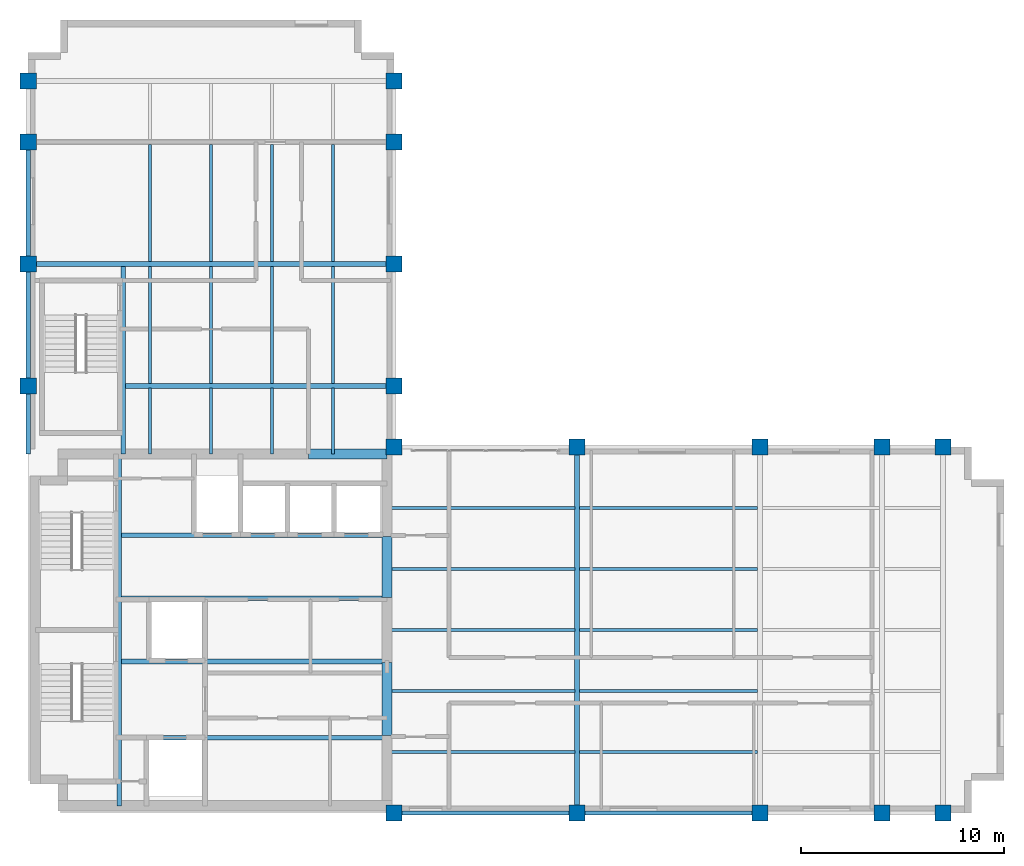
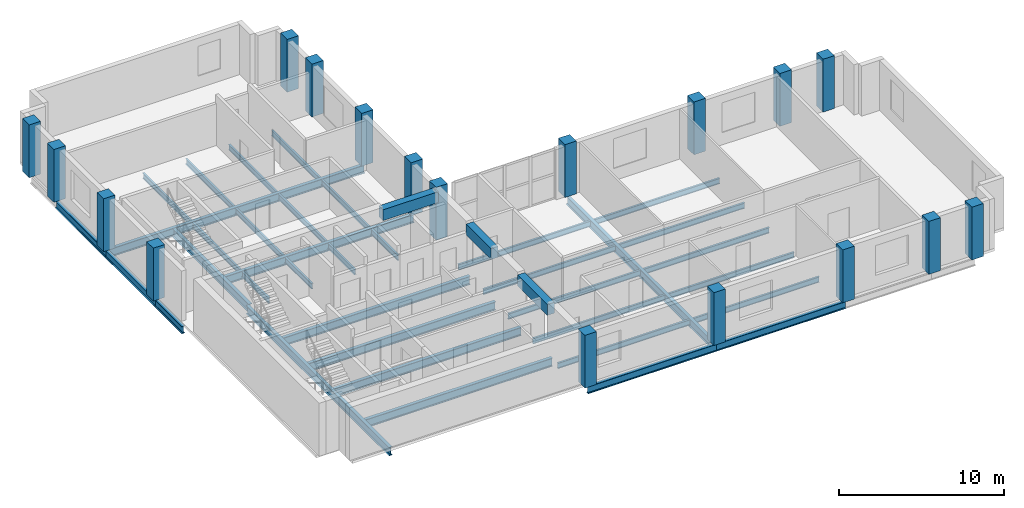
# One storey, part 1 of 7: 39 beams, 18 columns.
"""IFC4 building model written with IfcOpenShell, lengths in metres."""

from ifc_helpers import new_model, si_unit, direction, frame, origin, origin_2d, place, context, subcontext, project, spatial, rectangle, i_section, extrude, material, material_profile, profile_set, type_object, element, save


model = new_model("IFC4")

# Units and contexts
model_context = context("Model", 3, precision=1e-05, world=origin(), true_north=direction((0.0, 1.0)))
body_context = subcontext(model_context, "Body", "Model", "MODEL_VIEW")
ifc_project = project(units=[si_unit("LENGTHUNIT", "METRE"), si_unit("AREAUNIT", "SQUARE_METRE"), si_unit("VOLUMEUNIT", "CUBIC_METRE"), si_unit("PLANEANGLEUNIT", "RADIAN"), si_unit("MASSUNIT", "GRAM", prefix="KILO")], contexts=[model_context])

# Site, building, storey
site_placement = place(None, origin())
site = spatial("IfcSite", under=ifc_project, at=site_placement, CompositionType="ELEMENT")
building_placement = place(site_placement, origin())
building = spatial("IfcBuilding", under=site, at=building_placement, Name="Mawjdan Bourse Tower", CompositionType="ELEMENT")
storey_placement = place(building_placement, frame((0.0, 0.0, 235.199951171875)))
storey = spatial("IfcBuildingStorey", under=building, at=storey_placement, Name="L57", CompositionType="ELEMENT", Elevation=235.199951171875)

# Columns
ifc_material_1 = material(Name="Concrete C60/75", Category="concrete")
ifc_material_profile_1 = material_profile(ifc_material_1, rectangle(XDim=0.800048828125, YDim=0.800048828125, at=origin_2d()), Name="RC800X800")
ifc_profile_set_1 = profile_set([ifc_material_profile_1], Name="Concrete C60/75")
column_type = type_object("IfcColumnType", Name="COL-RC800X800", PredefinedType="COLUMN", material=ifc_profile_set_1)
for number, where, z_axis, x_axis, name in (
    (1, (24.0, 3.0, 0.0), (0.0, 0.0, 1.0), (1.0, 0.0, 0.0), "L57 Structural Column C-X240-Y30"),
    (2, (24.0, 21.0, 0.0), (0.0, 0.0, 1.0), (1.0, 0.0, 0.0), "L57 Structural Column C-X240-Y210"),
    (3, (33.0, 3.0, 0.0), (0.0, 0.0, 1.0), (1.0, 0.0, 0.0), "L57 Structural Column C-X330-Y30"),
    (4, (33.0, 21.0, 0.0), (0.0, 0.0, 1.0), (1.0, 0.0, 0.0), "L57 Structural Column C-X330-Y210"),
    (5, (42.0, 3.0, 0.0), (0.0, 0.0, 1.0), (1.0, 0.0, 0.0), "L57 Structural Column C-X420-Y30"),
    (6, (42.0, 21.0, 0.0), (0.0, 0.0, 1.0), (1.0, 0.0, 0.0), "L57 Structural Column C-X420-Y210"),
    (7, (48.0, 3.0, 0.0), (0.0, 0.0, 1.0), (1.0, 0.0, 0.0), "L57 Structural Column C-X480-Y30"),
    (8, (48.0, 21.0, 0.0), (0.0, 0.0, 1.0), (1.0, 0.0, 0.0), "L57 Structural Column C-X480-Y210"),
    (9, (51.0, 3.0, 0.0), (0.0, 0.0, 1.0), (1.0, 0.0, 0.0), "L57 Structural Column C-X510-Y30"),
    (10, (51.0, 21.0, 0.0), (0.0, 0.0, 1.0), (1.0, 0.0, 0.0), "L57 Structural Column C-X510-Y210"),
    (11, (6.0, 24.0, 0.0), (0.0, 0.0, 1.0), (1.0, 0.0, 0.0), "L57 Structural Column C-X60-Y240"),
    (12, (24.0, 24.0, 0.0), (0.0, 0.0, 1.0), (1.0, 0.0, 0.0), "L57 Structural Column C-X240-Y240"),
    (13, (6.0, 30.0, 0.0), (0.0, 0.0, 1.0), (1.0, 0.0, 0.0), "L57 Structural Column C-X60-Y300"),
    (14, (24.0, 30.0, 0.0), (0.0, 0.0, 1.0), (1.0, 0.0, 0.0), "L57 Structural Column C-X240-Y300"),
    (15, (6.0, 36.0, 0.0), (0.0, 0.0, 1.0), (1.0, 0.0, 0.0), "L57 Structural Column C-X60-Y360"),
    (16, (24.0, 36.0, 0.0), (0.0, 0.0, 1.0), (1.0, 0.0, 0.0), "L57 Structural Column C-X240-Y360"),
    (17, (6.0, 39.0, 0.0), (0.0, 0.0, 1.0), (1.0, 0.0, 0.0), "L57 Structural Column C-X60-Y390"),
    (18, (24.0, 39.0, 0.0), (0.0, 0.0, 1.0), (1.0, 0.0, 0.0), "L57 Structural Column C-X240-Y390"),
):
    element("IfcColumn", number, at=place(storey_placement, frame(where, z_axis=z_axis, x_axis=x_axis)), inside=storey, type_object=column_type, Name=name, PredefinedType="COLUMN", context=body_context, shape_type="SweptSolid", body=[
        extrude(rectangle(XDim=0.800048828125, YDim=0.800048828125, at=origin_2d()), origin(), (0.0, 0.0, 1.0), 3.900146484375),
    ])

# Beams
ifc_material_2 = material(Name="Structural Steel S355", Category="steel")
ifc_material_profile_2 = material_profile(ifc_material_2, i_section(OverallWidth=0.22998046875, OverallDepth=0.616943359375, WebThickness=0.01318359375, FlangeThickness=0.022216796875, FilletRadius=0.017822265625, at=origin_2d()), Name="W24X94")
ifc_profile_set_2 = profile_set([ifc_material_profile_2], Name="Structural Steel S355")
beam_type_1 = type_object("IfcBeamType", Name="GRD-W24X94", PredefinedType="BEAM", material=ifc_profile_set_2)
beam_1_placement = place(storey_placement, frame((10.47998046875, 3.35009765625, -0.508544921875), z_axis=(0.0, 1.0, 0.0), x_axis=(-1.0, 0.0, 0.0)))
element("IfcBeam", 19, at=beam_1_placement, inside=storey, type_object=beam_type_1, Name="L57 Core Stair Trimmer Girder 001", PredefinedType="BEAM", context=body_context, shape_type="SweptSolid", body=[
    extrude(i_section(OverallWidth=0.22998046875, OverallDepth=0.616943359375, WebThickness=0.01318359375, FlangeThickness=0.022216796875, FilletRadius=0.017822265625, at=origin_2d()), origin(), (0.0, 0.0, 1.0), 17.2998046875),
])
beam_2_placement = place(storey_placement, frame((33.0, 3.0, -0.508544921875), z_axis=(0.0, 1.0, 0.0), x_axis=(-1.0, 0.0, 0.0)))
element("IfcBeam", 20, at=beam_2_placement, inside=storey, type_object=beam_type_1, Name="L57 East Wing Clear-Span Girder 002", PredefinedType="BEAM", context=body_context, shape_type="SweptSolid", body=[
    extrude(i_section(OverallWidth=0.22998046875, OverallDepth=0.616943359375, WebThickness=0.01318359375, FlangeThickness=0.022216796875, FilletRadius=0.017822265625, at=origin_2d()), origin(), (0.0, 0.0, 1.0), 18.0),
])
beam_3_placement = place(storey_placement, frame((10.679931640625, 20.64990234375, -0.508544921875), z_axis=(0.0, 1.0, 0.0), x_axis=(-1.0, 0.0, 0.0)))
element("IfcBeam", 21, at=beam_3_placement, inside=storey, type_object=beam_type_1, Name="L57 North Wing Stair Trimmer Girder 038", PredefinedType="BEAM", context=body_context, shape_type="SweptSolid", body=[
    extrude(i_section(OverallWidth=0.22998046875, OverallDepth=0.616943359375, WebThickness=0.01318359375, FlangeThickness=0.022216796875, FilletRadius=0.017822265625, at=origin_2d()), origin(), (0.0, 0.0, 1.0), 9.237060546875),
])
beam_4_placement = place(storey_placement, frame((10.79296875, 24.0, -0.508544921875), z_axis=(1.0, 0.0, 0.0), x_axis=(0.0, 1.0, 0.0)))
element("IfcBeam", 22, at=beam_4_placement, inside=storey, type_object=beam_type_1, Name="L57 North Wing Clear-Span Girder 039", PredefinedType="BEAM", context=body_context, shape_type="SweptSolid", body=[
    extrude(i_section(OverallWidth=0.22998046875, OverallDepth=0.616943359375, WebThickness=0.01318359375, FlangeThickness=0.022216796875, FilletRadius=0.017822265625, at=origin_2d()), origin(), (0.0, 0.0, 1.0), 13.20703125),
])
beam_5_placement = place(storey_placement, frame((6.0, 30.0, -0.508544921875), z_axis=(1.0, 0.0, 0.0), x_axis=(0.0, 1.0, 0.0)))
element("IfcBeam", 23, at=beam_5_placement, inside=storey, type_object=beam_type_1, Name="L57 North Wing Clear-Span Girder 040", PredefinedType="BEAM", context=body_context, shape_type="SweptSolid", body=[
    extrude(i_section(OverallWidth=0.22998046875, OverallDepth=0.616943359375, WebThickness=0.01318359375, FlangeThickness=0.022216796875, FilletRadius=0.017822265625, at=origin_2d()), origin(), (0.0, 0.0, 1.0), 18.0),
])
ifc_material_profile_3 = material_profile(ifc_material_2, i_section(OverallWidth=0.139892578125, OverallDepth=0.404052734375, WebThickness=0.007080078125, FlangeThickness=0.01123046875, FilletRadius=0.009033203125, at=origin_2d()), Name="W16X31")
ifc_profile_set_3 = profile_set([ifc_material_profile_3], Name="Structural Steel S355")
beam_type_2 = type_object("IfcBeamType", Name="JST-W16X31", PredefinedType="JOIST", material=ifc_profile_set_3)
beam_6_placement = place(storey_placement, frame((23.64990234375, 6.0, -0.40185546875), z_axis=(1.0, 0.0, 0.0), x_axis=(0.0, 1.0, 0.0)))
element("IfcBeam", 24, at=beam_6_placement, inside=storey, type_object=beam_type_2, Name="L57 East Wing Composite Joist 014", PredefinedType="JOIST", context=body_context, shape_type="SweptSolid", body=[
    extrude(i_section(OverallWidth=0.139892578125, OverallDepth=0.404052734375, WebThickness=0.007080078125, FlangeThickness=0.01123046875, FilletRadius=0.009033203125, at=origin_2d()), origin(), (0.0, 0.0, 1.0), 9.237060546875),
])
beam_7_placement = place(storey_placement, frame((33.113037109375, 6.0, -0.40185546875), z_axis=(1.0, 0.0, 0.0), x_axis=(0.0, 1.0, 0.0)))
element("IfcBeam", 25, at=beam_7_placement, inside=storey, type_object=beam_type_2, Name="L57 East Wing Composite Joist 015", PredefinedType="JOIST", context=body_context, shape_type="SweptSolid", body=[
    extrude(i_section(OverallWidth=0.139892578125, OverallDepth=0.404052734375, WebThickness=0.007080078125, FlangeThickness=0.01123046875, FilletRadius=0.009033203125, at=origin_2d()), origin(), (0.0, 0.0, 1.0), 8.77392578125),
])
beam_8_placement = place(storey_placement, frame((23.64990234375, 9.0, -0.40185546875), z_axis=(1.0, 0.0, 0.0), x_axis=(0.0, 1.0, 0.0)))
element("IfcBeam", 26, at=beam_8_placement, inside=storey, type_object=beam_type_2, Name="L57 East Wing Composite Joist 018", PredefinedType="JOIST", context=body_context, shape_type="SweptSolid", body=[
    extrude(i_section(OverallWidth=0.139892578125, OverallDepth=0.404052734375, WebThickness=0.007080078125, FlangeThickness=0.01123046875, FilletRadius=0.009033203125, at=origin_2d()), origin(), (0.0, 0.0, 1.0), 9.237060546875),
])
beam_9_placement = place(storey_placement, frame((33.113037109375, 9.0, -0.40185546875), z_axis=(1.0, 0.0, 0.0), x_axis=(0.0, 1.0, 0.0)))
element("IfcBeam", 27, at=beam_9_placement, inside=storey, type_object=beam_type_2, Name="L57 East Wing Composite Joist 019", PredefinedType="JOIST", context=body_context, shape_type="SweptSolid", body=[
    extrude(i_section(OverallWidth=0.139892578125, OverallDepth=0.404052734375, WebThickness=0.007080078125, FlangeThickness=0.01123046875, FilletRadius=0.009033203125, at=origin_2d()), origin(), (0.0, 0.0, 1.0), 8.77392578125),
])
beam_10_placement = place(storey_placement, frame((23.64990234375, 12.0, -0.40185546875), z_axis=(1.0, 0.0, 0.0), x_axis=(0.0, 1.0, 0.0)))
element("IfcBeam", 28, at=beam_10_placement, inside=storey, type_object=beam_type_2, Name="L57 East Wing Composite Joist 022", PredefinedType="JOIST", context=body_context, shape_type="SweptSolid", body=[
    extrude(i_section(OverallWidth=0.139892578125, OverallDepth=0.404052734375, WebThickness=0.007080078125, FlangeThickness=0.01123046875, FilletRadius=0.009033203125, at=origin_2d()), origin(), (0.0, 0.0, 1.0), 9.237060546875),
])
beam_11_placement = place(storey_placement, frame((33.113037109375, 12.0, -0.40185546875), z_axis=(1.0, 0.0, 0.0), x_axis=(0.0, 1.0, 0.0)))
element("IfcBeam", 29, at=beam_11_placement, inside=storey, type_object=beam_type_2, Name="L57 East Wing Composite Joist 023", PredefinedType="JOIST", context=body_context, shape_type="SweptSolid", body=[
    extrude(i_section(OverallWidth=0.139892578125, OverallDepth=0.404052734375, WebThickness=0.007080078125, FlangeThickness=0.01123046875, FilletRadius=0.009033203125, at=origin_2d()), origin(), (0.0, 0.0, 1.0), 8.77392578125),
])
beam_12_placement = place(storey_placement, frame((23.64990234375, 15.0, -0.40185546875), z_axis=(1.0, 0.0, 0.0), x_axis=(0.0, 1.0, 0.0)))
element("IfcBeam", 30, at=beam_12_placement, inside=storey, type_object=beam_type_2, Name="L57 East Wing Composite Joist 026", PredefinedType="JOIST", context=body_context, shape_type="SweptSolid", body=[
    extrude(i_section(OverallWidth=0.139892578125, OverallDepth=0.404052734375, WebThickness=0.007080078125, FlangeThickness=0.01123046875, FilletRadius=0.009033203125, at=origin_2d()), origin(), (0.0, 0.0, 1.0), 9.237060546875),
])
beam_13_placement = place(storey_placement, frame((33.113037109375, 15.0, -0.40185546875), z_axis=(1.0, 0.0, 0.0), x_axis=(0.0, 1.0, 0.0)))
element("IfcBeam", 31, at=beam_13_placement, inside=storey, type_object=beam_type_2, Name="L57 East Wing Composite Joist 027", PredefinedType="JOIST", context=body_context, shape_type="SweptSolid", body=[
    extrude(i_section(OverallWidth=0.139892578125, OverallDepth=0.404052734375, WebThickness=0.007080078125, FlangeThickness=0.01123046875, FilletRadius=0.009033203125, at=origin_2d()), origin(), (0.0, 0.0, 1.0), 8.77392578125),
])
beam_14_placement = place(storey_placement, frame((23.64990234375, 18.0, -0.40185546875), z_axis=(1.0, 0.0, 0.0), x_axis=(0.0, 1.0, 0.0)))
element("IfcBeam", 32, at=beam_14_placement, inside=storey, type_object=beam_type_2, Name="L57 East Wing Composite Joist 030", PredefinedType="JOIST", context=body_context, shape_type="SweptSolid", body=[
    extrude(i_section(OverallWidth=0.139892578125, OverallDepth=0.404052734375, WebThickness=0.007080078125, FlangeThickness=0.01123046875, FilletRadius=0.009033203125, at=origin_2d()), origin(), (0.0, 0.0, 1.0), 9.237060546875),
])
beam_15_placement = place(storey_placement, frame((33.113037109375, 18.0, -0.40185546875), z_axis=(1.0, 0.0, 0.0), x_axis=(0.0, 1.0, 0.0)))
element("IfcBeam", 33, at=beam_15_placement, inside=storey, type_object=beam_type_2, Name="L57 East Wing Composite Joist 031", PredefinedType="JOIST", context=body_context, shape_type="SweptSolid", body=[
    extrude(i_section(OverallWidth=0.139892578125, OverallDepth=0.404052734375, WebThickness=0.007080078125, FlangeThickness=0.01123046875, FilletRadius=0.009033203125, at=origin_2d()), origin(), (0.0, 0.0, 1.0), 8.77392578125),
])
beam_16_placement = place(storey_placement, frame((12.0, 20.64990234375, -0.40185546875), z_axis=(0.0, 1.0, 0.0), x_axis=(-1.0, 0.0, 0.0)))
element("IfcBeam", 34, at=beam_16_placement, inside=storey, type_object=beam_type_2, Name="L57 North Wing Composite Joist 051", PredefinedType="JOIST", context=body_context, shape_type="SweptSolid", body=[
    extrude(i_section(OverallWidth=0.139892578125, OverallDepth=0.404052734375, WebThickness=0.007080078125, FlangeThickness=0.01123046875, FilletRadius=0.009033203125, at=origin_2d()), origin(), (0.0, 0.0, 1.0), 3.237060546875),
])
for number, where, z_axis, x_axis, name in (
    (35, (12.0, 24.113037109375, -0.40185546875), (0.0, 1.0, 0.0), (-1.0, 0.0, 0.0), "L57 North Wing Composite Joist 052"),
    (36, (12.0, 30.113037109375, -0.40185546875), (0.0, 1.0, 0.0), (-1.0, 0.0, 0.0), "L57 North Wing Composite Joist 053"),
):
    element("IfcBeam", number, at=place(storey_placement, frame(where, z_axis=z_axis, x_axis=x_axis)), inside=storey, type_object=beam_type_2, Name=name, PredefinedType="JOIST", context=body_context, shape_type="SweptSolid", body=[
        extrude(i_section(OverallWidth=0.139892578125, OverallDepth=0.404052734375, WebThickness=0.007080078125, FlangeThickness=0.01123046875, FilletRadius=0.009033203125, at=origin_2d()), origin(), (0.0, 0.0, 1.0), 5.77392578125),
    ])
beam_17_placement = place(storey_placement, frame((15.0, 20.64990234375, -0.40185546875), z_axis=(0.0, 1.0, 0.0), x_axis=(-1.0, 0.0, 0.0)))
element("IfcBeam", 37, at=beam_17_placement, inside=storey, type_object=beam_type_2, Name="L57 North Wing Composite Joist 055", PredefinedType="JOIST", context=body_context, shape_type="SweptSolid", body=[
    extrude(i_section(OverallWidth=0.139892578125, OverallDepth=0.404052734375, WebThickness=0.007080078125, FlangeThickness=0.01123046875, FilletRadius=0.009033203125, at=origin_2d()), origin(), (0.0, 0.0, 1.0), 3.237060546875),
])
for number, where, z_axis, x_axis, name in (
    (38, (15.0, 24.113037109375, -0.40185546875), (0.0, 1.0, 0.0), (-1.0, 0.0, 0.0), "L57 North Wing Composite Joist 056"),
    (39, (15.0, 30.113037109375, -0.40185546875), (0.0, 1.0, 0.0), (-1.0, 0.0, 0.0), "L57 North Wing Composite Joist 057"),
):
    element("IfcBeam", number, at=place(storey_placement, frame(where, z_axis=z_axis, x_axis=x_axis)), inside=storey, type_object=beam_type_2, Name=name, PredefinedType="JOIST", context=body_context, shape_type="SweptSolid", body=[
        extrude(i_section(OverallWidth=0.139892578125, OverallDepth=0.404052734375, WebThickness=0.007080078125, FlangeThickness=0.01123046875, FilletRadius=0.009033203125, at=origin_2d()), origin(), (0.0, 0.0, 1.0), 5.77392578125),
    ])
beam_18_placement = place(storey_placement, frame((18.0, 20.64990234375, -0.40185546875), z_axis=(0.0, 1.0, 0.0), x_axis=(-1.0, 0.0, 0.0)))
element("IfcBeam", 40, at=beam_18_placement, inside=storey, type_object=beam_type_2, Name="L57 North Wing Composite Joist 059", PredefinedType="JOIST", context=body_context, shape_type="SweptSolid", body=[
    extrude(i_section(OverallWidth=0.139892578125, OverallDepth=0.404052734375, WebThickness=0.007080078125, FlangeThickness=0.01123046875, FilletRadius=0.009033203125, at=origin_2d()), origin(), (0.0, 0.0, 1.0), 3.237060546875),
])
for number, where, z_axis, x_axis, name in (
    (41, (18.0, 24.113037109375, -0.40185546875), (0.0, 1.0, 0.0), (-1.0, 0.0, 0.0), "L57 North Wing Composite Joist 060"),
    (42, (18.0, 30.113037109375, -0.40185546875), (0.0, 1.0, 0.0), (-1.0, 0.0, 0.0), "L57 North Wing Composite Joist 061"),
):
    element("IfcBeam", number, at=place(storey_placement, frame(where, z_axis=z_axis, x_axis=x_axis)), inside=storey, type_object=beam_type_2, Name=name, PredefinedType="JOIST", context=body_context, shape_type="SweptSolid", body=[
        extrude(i_section(OverallWidth=0.139892578125, OverallDepth=0.404052734375, WebThickness=0.007080078125, FlangeThickness=0.01123046875, FilletRadius=0.009033203125, at=origin_2d()), origin(), (0.0, 0.0, 1.0), 5.77392578125),
    ])
beam_19_placement = place(storey_placement, frame((21.0, 20.64990234375, -0.40185546875), z_axis=(0.0, 1.0, 0.0), x_axis=(-1.0, 0.0, 0.0)))
element("IfcBeam", 43, at=beam_19_placement, inside=storey, type_object=beam_type_2, Name="L57 North Wing Composite Joist 063", PredefinedType="JOIST", context=body_context, shape_type="SweptSolid", body=[
    extrude(i_section(OverallWidth=0.139892578125, OverallDepth=0.404052734375, WebThickness=0.007080078125, FlangeThickness=0.01123046875, FilletRadius=0.009033203125, at=origin_2d()), origin(), (0.0, 0.0, 1.0), 3.237060546875),
])
for number, where, z_axis, x_axis, name in (
    (44, (21.0, 24.113037109375, -0.40185546875), (0.0, 1.0, 0.0), (-1.0, 0.0, 0.0), "L57 North Wing Composite Joist 064"),
    (45, (21.0, 30.113037109375, -0.40185546875), (0.0, 1.0, 0.0), (-1.0, 0.0, 0.0), "L57 North Wing Composite Joist 065"),
):
    element("IfcBeam", number, at=place(storey_placement, frame(where, z_axis=z_axis, x_axis=x_axis)), inside=storey, type_object=beam_type_2, Name=name, PredefinedType="JOIST", context=body_context, shape_type="SweptSolid", body=[
        extrude(i_section(OverallWidth=0.139892578125, OverallDepth=0.404052734375, WebThickness=0.007080078125, FlangeThickness=0.01123046875, FilletRadius=0.009033203125, at=origin_2d()), origin(), (0.0, 0.0, 1.0), 5.77392578125),
    ])
ifc_material_profile_4 = material_profile(ifc_material_2, i_section(OverallWidth=0.22998046875, OverallDepth=0.616943359375, WebThickness=0.01318359375, FlangeThickness=0.022216796875, FilletRadius=0.017822265625, at=origin_2d()), Name="W24X94")
ifc_profile_set_4 = profile_set([ifc_material_profile_4], Name="Structural Steel S355")
beam_type_3 = type_object("IfcBeamType", Name="JST-W24X94", PredefinedType="JOIST", material=ifc_profile_set_4)
for number, where, z_axis, x_axis, name in (
    (46, (10.593017578125, 6.699951171875, -0.508544921875), (1.0, 0.0, 0.0), (0.0, 1.0, 0.0), "L57 Core Floor Joist 034"),
    (47, (10.593017578125, 10.449951171875, -0.508544921875), (1.0, 0.0, 0.0), (0.0, 1.0, 0.0), "L57 Core Floor Joist 035"),
    (48, (10.593017578125, 13.550048828125, -0.508544921875), (1.0, 0.0, 0.0), (0.0, 1.0, 0.0), "L57 Core Floor Joist 036"),
    (49, (10.593017578125, 16.64990234375, -0.508544921875), (1.0, 0.0, 0.0), (0.0, 1.0, 0.0), "L57 Core Floor Joist 037"),
):
    element("IfcBeam", number, at=place(storey_placement, frame(where, z_axis=z_axis, x_axis=x_axis)), inside=storey, type_object=beam_type_3, Name=name, PredefinedType="JOIST", context=body_context, shape_type="SweptSolid", body=[
        extrude(i_section(OverallWidth=0.22998046875, OverallDepth=0.616943359375, WebThickness=0.01318359375, FlangeThickness=0.022216796875, FilletRadius=0.017822265625, at=origin_2d()), origin(), (0.0, 0.0, 1.0), 13.056884765625),
    ])
ifc_material_3 = material(Name="Concrete C70/85", Category="concrete")
ifc_material_profile_5 = material_profile(ifc_material_3, rectangle(XDim=0.5, YDim=0.800048828125, at=origin_2d()), Name="RCB500X800")
ifc_profile_set_5 = profile_set([ifc_material_profile_5], Name="Concrete C70/85")
beam_type_4 = type_object("IfcBeamType", Name="LNT-RCB500X800", PredefinedType="LINTEL", material=ifc_profile_set_5)
beam_20_placement = place(storey_placement, frame((23.64990234375, 6.800048828125, 3.300048828125), z_axis=(0.0, 1.0, 0.0), x_axis=(-1.0, 0.0, 0.0)))
element("IfcBeam", 50, at=beam_20_placement, inside=storey, type_object=beam_type_4, Name="L57 Coupled Core Lintel CB-E1", PredefinedType="LINTEL", context=body_context, shape_type="SweptSolid", body=[
    extrude(rectangle(XDim=0.5, YDim=0.800048828125, at=origin_2d()), origin(), (0.0, 0.0, 1.0), 3.599853515625),
])
beam_21_placement = place(storey_placement, frame((23.64990234375, 13.60009765625, 3.300048828125), z_axis=(0.0, 1.0, 0.0), x_axis=(-1.0, 0.0, 0.0)))
element("IfcBeam", 51, at=beam_21_placement, inside=storey, type_object=beam_type_4, Name="L57 Coupled Core Lintel CB-E2", PredefinedType="LINTEL", context=body_context, shape_type="SweptSolid", body=[
    extrude(rectangle(XDim=0.5, YDim=0.800048828125, at=origin_2d()), origin(), (0.0, 0.0, 1.0), 3.0),
])
beam_22_placement = place(storey_placement, frame((19.800048828125, 20.64990234375, 3.300048828125), z_axis=(1.0, 0.0, 0.0), x_axis=(0.0, 1.0, 0.0)))
element("IfcBeam", 52, at=beam_22_placement, inside=storey, type_object=beam_type_4, Name="L57 Coupled Core Lintel CB-N1", PredefinedType="LINTEL", context=body_context, shape_type="SweptSolid", body=[
    extrude(rectangle(XDim=0.5, YDim=0.800048828125, at=origin_2d()), origin(), (0.0, 0.0, 1.0), 3.849853515625),
])
ifc_material_profile_6 = material_profile(ifc_material_2, i_section(OverallWidth=0.2099609375, OverallDepth=0.537109375, WebThickness=0.010986328125, FlangeThickness=0.017333984375, FilletRadius=0.013916015625, at=origin_2d()), Name="W21X68")
ifc_profile_set_6 = profile_set([ifc_material_profile_6], Name="Structural Steel S355")
beam_type_5 = type_object("IfcBeamType", Name="SPN-W21X68", PredefinedType="SPANDREL", material=ifc_profile_set_6)
for number, where, z_axis, x_axis, name in (
    (53, (24.0, 3.0, -0.468505859375), (1.0, 0.0, 0.0), (0.0, 1.0, 0.0), "L57 Perimeter Masonry-Shelf Spandrel 006"),
    (54, (33.0, 3.0, -0.468505859375), (1.0, 0.0, 0.0), (0.0, 1.0, 0.0), "L57 Perimeter Masonry-Shelf Spandrel 007"),
):
    element("IfcBeam", number, at=place(storey_placement, frame(where, z_axis=z_axis, x_axis=x_axis)), inside=storey, type_object=beam_type_5, Name=name, PredefinedType="SPANDREL", context=body_context, shape_type="SweptSolid", body=[
        extrude(i_section(OverallWidth=0.2099609375, OverallDepth=0.537109375, WebThickness=0.010986328125, FlangeThickness=0.017333984375, FilletRadius=0.013916015625, at=origin_2d()), origin(), (0.0, 0.0, 1.0), 9.0),
    ])
beam_23_placement = place(storey_placement, frame((6.0, 20.64990234375, -0.468505859375), z_axis=(0.0, 1.0, 0.0), x_axis=(-1.0, 0.0, 0.0)))
element("IfcBeam", 55, at=beam_23_placement, inside=storey, type_object=beam_type_5, Name="L57 North Wing Spandrel 043", PredefinedType="SPANDREL", context=body_context, shape_type="SweptSolid", body=[
    extrude(i_section(OverallWidth=0.2099609375, OverallDepth=0.537109375, WebThickness=0.010986328125, FlangeThickness=0.017333984375, FilletRadius=0.013916015625, at=origin_2d()), origin(), (0.0, 0.0, 1.0), 3.35009765625),
])
for number, where, z_axis, x_axis, name in (
    (56, (6.0, 24.0, -0.468505859375), (0.0, 1.0, 0.0), (-1.0, 0.0, 0.0), "L57 North Wing Spandrel 044"),
    (57, (6.0, 30.0, -0.468505859375), (0.0, 1.0, 0.0), (-1.0, 0.0, 0.0), "L57 North Wing Spandrel 045"),
):
    element("IfcBeam", number, at=place(storey_placement, frame(where, z_axis=z_axis, x_axis=x_axis)), inside=storey, type_object=beam_type_5, Name=name, PredefinedType="SPANDREL", context=body_context, shape_type="SweptSolid", body=[
        extrude(i_section(OverallWidth=0.2099609375, OverallDepth=0.537109375, WebThickness=0.010986328125, FlangeThickness=0.017333984375, FilletRadius=0.013916015625, at=origin_2d()), origin(), (0.0, 0.0, 1.0), 6.0),
    ])

save(model, "model.ifc")
